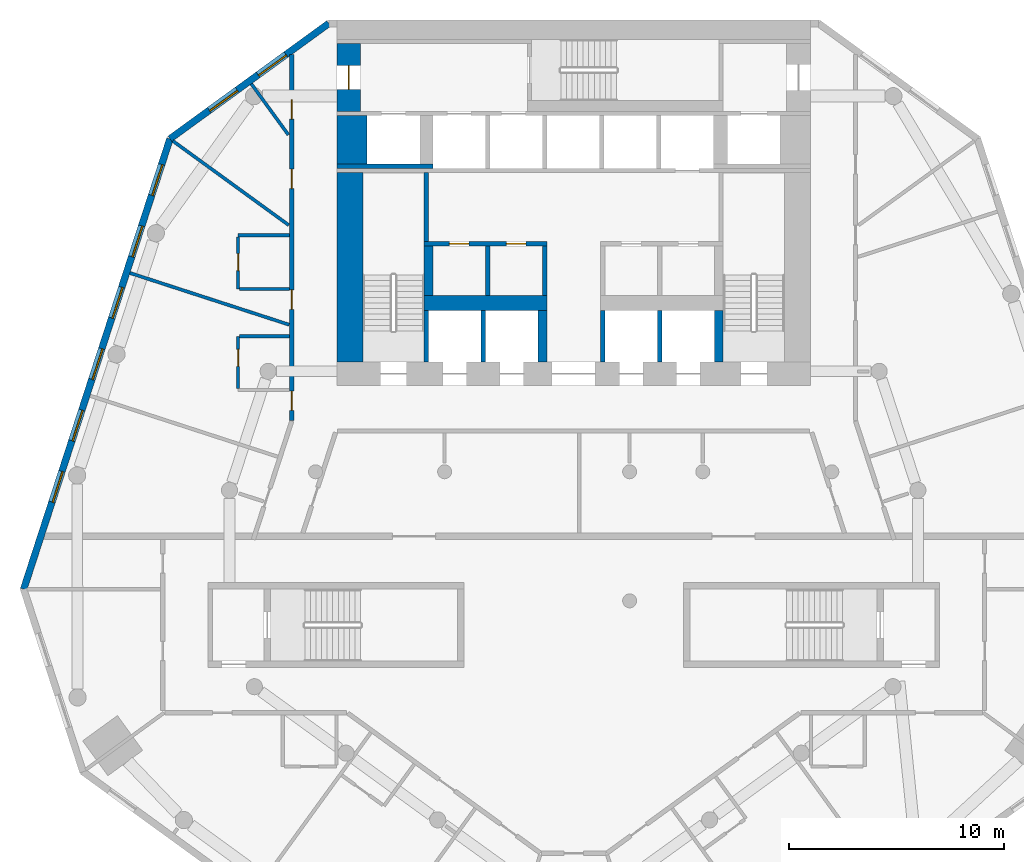
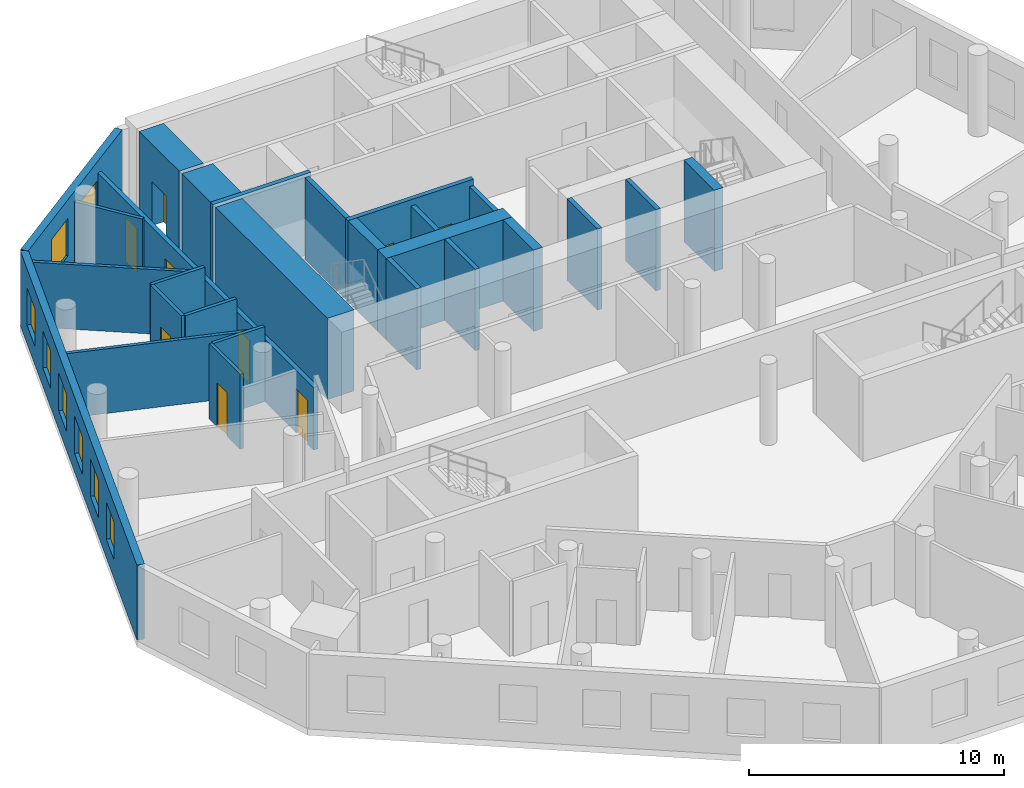
# One storey, part 5 of 9: 27 walls, 9 doors, 8 windows, 17 openings.
"""IFC4 building model written with IfcOpenShell, lengths in metres."""

from ifc_helpers import new_model, si_unit, direction, frame, frame_2d, origin, place, context, subcontext, project, spatial, rectangle, extrude, material, layer, layer_set, type_object, element, fill, save


model = new_model("IFC4")

# Units and contexts
model_context = context("Model", 3, precision=1e-05, world=origin(), true_north=direction((0.0, 1.0)))
body_context = subcontext(model_context, "Body", "Model", "MODEL_VIEW")
ifc_project = project(units=[si_unit("LENGTHUNIT", "METRE"), si_unit("AREAUNIT", "SQUARE_METRE"), si_unit("VOLUMEUNIT", "CUBIC_METRE"), si_unit("PLANEANGLEUNIT", "RADIAN"), si_unit("MASSUNIT", "GRAM", prefix="KILO")], contexts=[model_context])

# Site, building, storey
site_placement = place(None, origin())
site = spatial("IfcSite", under=ifc_project, at=site_placement, CompositionType="ELEMENT")
building_placement = place(site_placement, origin())
building = spatial("IfcBuilding", under=site, at=building_placement, Name="White Candle Pilgrim Tower", CompositionType="ELEMENT")
storey_placement = place(building_placement, frame((0.0, 0.0, 118.10009765625)))
storey = spatial("IfcBuildingStorey", under=building, at=storey_placement, Name="L26", CompositionType="ELEMENT", Elevation=118.10009765625)

# Wall, opening, door
ifc_material_1 = material(Name="Concrete C60/75", Category="concrete")
ifc_layer_1 = layer(ifc_material_1, 1.10009765625)
ifc_layer_set_1 = layer_set([ifc_layer_1], Name="Core wall 1100 mm Concrete C60/75")
wall_type_1 = type_object("IfcWallType", Name="Core wall 1100 mm Concrete C60/75", PredefinedType="SHEAR", material=ifc_layer_set_1)
wall_1_placement = place(storey_placement, frame((59.550048828125, 83.75, 0.0), z_axis=(0.0, 0.0, 1.0), x_axis=(0.0, 1.0, 0.0)))
wall_1 = element("IfcWall", 1, at=wall_1_placement, inside=storey, type_object=wall_type_1, Name="WL-L26-C44", PredefinedType="SHEAR", context=body_context, shape_type="SweptSolid", body=[
    extrude(rectangle(XDim=3.14990234375, YDim=1.10009765625, at=frame_2d((1.574951171875, 0.0))), origin(), (0.0, 0.0, 1.0), 3.89990234375),
])
opening_1_placement = place(wall_1_placement, frame((1.02490234375, 0.0, 0.0)))
opening_1 = element("IfcOpeningElement", 2, at=opening_1_placement, cuts=wall_1, Name="Opening T08-005", PredefinedType="OPENING", context=body_context, shape_type="SweptSolid", body=[
    extrude(rectangle(XDim=1.10009765625, YDim=2.10009765625, at=frame_2d((0.550048828125, 1.050048828125))), frame((0.0, 0.56005859375, 0.0), z_axis=(0.0, -1.0, 0.0), x_axis=(1.0, 0.0, 0.0)), (0.0, 0.0, 1.0), 1.1201171875),
])
ifc_material_2 = material(Name="Steel door leaf", Category="steel")
door_type_1 = type_object("IfcDoorType", Name="Fire door 1100 x 2100 EI 60", OperationType="NOTDEFINED", PredefinedType="DOOR", material=ifc_material_2)
door_1_placement = place(opening_1_placement, origin())
door_1 = element("IfcDoor", 3, at=door_1_placement, inside=storey, type_object=door_type_1, Name="Door T08-005", OperationType="SINGLE_SWING_LEFT", OverallHeight=2.10009765625, OverallWidth=1.10009765625, PredefinedType="DOOR", context=body_context, shape_type="SweptSolid", body=[
    extrude(rectangle(XDim=1.10009765625, YDim=2.10009765625, at=frame_2d((0.550048828125, 1.050048828125))), frame((0.0, 0.02490234375, 0.0), z_axis=(0.0, -1.0, 0.0), x_axis=(1.0, 0.0, 0.0)), (0.0, 0.0, 1.0), 0.050048828125),
])
fill(opening_1, door_1)

# Walls
ifc_layer_2 = layer(ifc_material_1, 1.39990234375)
ifc_layer_set_2 = layer_set([ifc_layer_2], Name="Core wall 1400 mm Concrete C60/75")
wall_type_2 = type_object("IfcWallType", Name="Core wall 1400 mm Concrete C60/75", PredefinedType="SHEAR", material=ifc_layer_set_2)
wall_2_placement = place(storey_placement, frame((59.699951171875, 81.300048828125, 0.0), z_axis=(0.0, 0.0, 1.0), x_axis=(0.0, 1.0, 0.0)))
element("IfcWall", 4, at=wall_2_placement, inside=storey, type_object=wall_type_2, Name="WL-L26-C39", PredefinedType="SHEAR", context=body_context, shape_type="SweptSolid", body=[
    extrude(rectangle(XDim=2.25, YDim=1.39990234375, at=frame_2d((1.125, 0.0))), origin(), (0.0, 0.0, 1.0), 3.89990234375),
])
ifc_layer_3 = layer(ifc_material_1, 0.199951171875)
ifc_layer_set_3 = layer_set([ifc_layer_3], Name="Core wall 200 mm Concrete C60/75")
wall_type_3 = type_object("IfcWallType", Name="Core wall 200 mm Concrete C60/75", PredefinedType="SHEAR", material=ifc_layer_set_3)
wall_3_placement = place(storey_placement, frame((59.0, 81.199951171875, 0.0), z_axis=(0.0, 0.0, 1.0), x_axis=(1.0, 0.0, 0.0)))
element("IfcWall", 5, at=wall_3_placement, inside=storey, type_object=wall_type_3, Name="WL-L26-C33", PredefinedType="SHEAR", context=body_context, shape_type="SweptSolid", body=[
    extrude(rectangle(XDim=4.449951171875, YDim=0.199951171875, at=frame_2d((2.22509765625, 0.0))), origin(), (0.0, 0.0, 1.0), 3.89990234375),
])

# Wall, openings, doors
ifc_material_3 = material(Name="Gypsum board on steel studs", Category="steel")
ifc_layer_4 = layer(ifc_material_3, 0.199951171875)
ifc_layer_set_4 = layer_set([ifc_layer_4], Name="Corridor wall 200 mm EI 45")
wall_type_4 = type_object("IfcWallType", Name="Corridor wall 200 mm EI 45", PredefinedType="PARTITIONING", material=ifc_layer_set_4)
wall_4_placement = place(storey_placement, frame((56.89990234375, 69.385009765625, 0.0), z_axis=(0.0, 0.0, 1.0), x_axis=(0.0, 1.0, 0.0)))
wall_4 = element("IfcWall", 6, at=wall_4_placement, inside=storey, type_object=wall_type_4, Name="WL-L26-P003", PredefinedType="PARTITIONING", context=body_context, shape_type="SweptSolid", body=[
    extrude(rectangle(XDim=17.01123046875, YDim=0.199951171875, at=frame_2d((8.505615234375, 0.0))), origin(), (0.0, 0.0, 1.0), 3.0),
])
opening_2_placement = place(wall_4_placement, frame((0.467041015625, 0.0, 0.0)))
opening_2 = element("IfcOpeningElement", 7, at=opening_2_placement, cuts=wall_4, Name="Opening T08-120", PredefinedType="OPENING", context=body_context, shape_type="SweptSolid", body=[
    extrude(rectangle(XDim=0.89990234375, YDim=2.10009765625, at=frame_2d((0.449951171875, 1.050048828125))), frame((0.0, 0.10986328125, 0.0), z_axis=(0.0, -1.0, 0.0), x_axis=(1.0, 0.0, 0.0)), (0.0, 0.0, 1.0), 0.219970703125),
])
opening_3_placement = place(wall_4_placement, frame((5.169189453125, 0.0, 0.0)))
opening_3 = element("IfcOpeningElement", 8, at=opening_3_placement, cuts=wall_4, Name="Opening T08-121", PredefinedType="OPENING", context=body_context, shape_type="SweptSolid", body=[
    extrude(rectangle(XDim=0.89990234375, YDim=2.10009765625, at=frame_2d((0.449951171875, 1.050048828125))), frame((0.0, 0.10986328125, 0.0), z_axis=(0.0, -1.0, 0.0), x_axis=(1.0, 0.0, 0.0)), (0.0, 0.0, 1.0), 0.219970703125),
])
opening_4_placement = place(wall_4_placement, frame((10.779296875, 0.0, 0.0)))
opening_4 = element("IfcOpeningElement", 9, at=opening_4_placement, cuts=wall_4, Name="Opening T08-122", PredefinedType="OPENING", context=body_context, shape_type="SweptSolid", body=[
    extrude(rectangle(XDim=0.89990234375, YDim=2.10009765625, at=frame_2d((0.449951171875, 1.050048828125))), frame((0.0, 0.10986328125, 0.0), z_axis=(0.0, -1.0, 0.0), x_axis=(1.0, 0.0, 0.0)), (0.0, 0.0, 1.0), 0.219970703125),
])
opening_5_placement = place(wall_4_placement, frame((14.009521484375, 0.0, 0.0)))
opening_5 = element("IfcOpeningElement", 10, at=opening_5_placement, cuts=wall_4, Name="Opening T08-123", PredefinedType="OPENING", context=body_context, shape_type="SweptSolid", body=[
    extrude(rectangle(XDim=0.89990234375, YDim=2.10009765625, at=frame_2d((0.449951171875, 1.050048828125))), frame((0.0, 0.10986328125, 0.0), z_axis=(0.0, -1.0, 0.0), x_axis=(1.0, 0.0, 0.0)), (0.0, 0.0, 1.0), 0.219970703125),
])
door_type_2 = type_object("IfcDoorType", Name="Fire door 900 x 2100 EI 30", OperationType="NOTDEFINED", PredefinedType="DOOR", material=ifc_material_2)
door_2_placement = place(opening_2_placement, frame((0.89990234375, 0.0, 0.0), z_axis=(0.0, 0.0, 1.0), x_axis=(-1.0, 0.0, 0.0)))
door_2 = element("IfcDoor", 11, at=door_2_placement, inside=storey, type_object=door_type_2, Name="Door T08-120", OperationType="SINGLE_SWING_LEFT", OverallHeight=2.10009765625, OverallWidth=0.89990234375, PredefinedType="DOOR", context=body_context, shape_type="SweptSolid", body=[
    extrude(rectangle(XDim=0.89990234375, YDim=2.10009765625, at=frame_2d((0.449951171875, 1.050048828125))), frame((0.0, 0.02490234375, 0.0), z_axis=(0.0, -1.0, 0.0), x_axis=(1.0, 0.0, 0.0)), (0.0, 0.0, 1.0), 0.050048828125),
])
fill(opening_2, door_2)
door_3_placement = place(opening_3_placement, frame((0.89990234375, 0.0, 0.0), z_axis=(0.0, 0.0, 1.0), x_axis=(-1.0, 0.0, 0.0)))
door_3 = element("IfcDoor", 12, at=door_3_placement, inside=storey, type_object=door_type_2, Name="Door T08-121", OperationType="SINGLE_SWING_RIGHT", OverallHeight=2.10009765625, OverallWidth=0.89990234375, PredefinedType="DOOR", context=body_context, shape_type="SweptSolid", body=[
    extrude(rectangle(XDim=0.89990234375, YDim=2.10009765625, at=frame_2d((0.449951171875, 1.050048828125))), frame((0.0, 0.02490234375, 0.0), z_axis=(0.0, -1.0, 0.0), x_axis=(1.0, 0.0, 0.0)), (0.0, 0.0, 1.0), 0.050048828125),
])
fill(opening_3, door_3)
door_4_placement = place(opening_4_placement, origin())
door_4 = element("IfcDoor", 13, at=door_4_placement, inside=storey, type_object=door_type_2, Name="Door T08-122", OperationType="SINGLE_SWING_RIGHT", OverallHeight=2.10009765625, OverallWidth=0.89990234375, PredefinedType="DOOR", context=body_context, shape_type="SweptSolid", body=[
    extrude(rectangle(XDim=0.89990234375, YDim=2.10009765625, at=frame_2d((0.449951171875, 1.050048828125))), frame((0.0, 0.02490234375, 0.0), z_axis=(0.0, -1.0, 0.0), x_axis=(1.0, 0.0, 0.0)), (0.0, 0.0, 1.0), 0.050048828125),
])
fill(opening_4, door_4)
door_5_placement = place(opening_5_placement, origin())
door_5 = element("IfcDoor", 14, at=door_5_placement, inside=storey, type_object=door_type_2, Name="Door T08-123", OperationType="SINGLE_SWING_LEFT", OverallHeight=2.10009765625, OverallWidth=0.89990234375, PredefinedType="DOOR", context=body_context, shape_type="SweptSolid", body=[
    extrude(rectangle(XDim=0.89990234375, YDim=2.10009765625, at=frame_2d((0.449951171875, 1.050048828125))), frame((0.0, 0.02490234375, 0.0), z_axis=(0.0, -1.0, 0.0), x_axis=(1.0, 0.0, 0.0)), (0.0, 0.0, 1.0), 0.050048828125),
])
fill(opening_5, door_5)

# Wall, openings, windows
ifc_material_4 = material(Name="Precast concrete C40/50", Category="concrete")
ifc_layer_5 = layer(ifc_material_4, 0.320068359375)
ifc_layer_set_5 = layer_set([ifc_layer_5], Name="Facade wall EW1 precast concrete C40/50 pier wall with timber-lined reveals")
wall_type_5 = type_object("IfcWallType", Name="Facade wall EW1 precast concrete C40/50 pier wall with timber-lined reveals", PredefinedType="SOLIDWALL", material=ifc_layer_set_5)
wall_5_placement = place(storey_placement, frame((58.614990234375, 87.840087890625, 0.0), z_axis=(0.0, 0.0, 1.0), x_axis=(-0.809013684675, -0.587789807677, 0.0)))
wall_5 = element("IfcWall", 15, at=wall_5_placement, inside=storey, type_object=wall_type_5, Name="Facade wall L26 NW chamfer", PredefinedType="SOLIDWALL", context=body_context, shape_type="SweptSolid", body=[
    extrude(rectangle(XDim=9.12451171875, YDim=0.320068359375, at=frame_2d((4.562255859375, 0.0))), origin(), (0.0, 0.0, 1.0), 3.599853515625),
])
opening_6_placement = place(wall_5_placement, frame((2.459716796875, 0.0, 0.89990234375)))
opening_6 = element("IfcOpeningElement", 16, at=opening_6_placement, cuts=wall_5, Name="Opening W2", PredefinedType="OPENING", context=body_context, shape_type="SweptSolid", body=[
    extrude(rectangle(XDim=1.60009765625, YDim=1.800048828125, at=frame_2d((0.800048828125, 0.89990234375))), frame((0.0, 0.169921875, 0.0), z_axis=(0.0, -1.0, 0.0), x_axis=(1.0, 0.0, 0.0)), (0.0, 0.0, 1.0), 0.340087890625),
])
opening_7_placement = place(wall_5_placement, frame((5.26220703125, 0.0, 0.89990234375)))
opening_7 = element("IfcOpeningElement", 17, at=opening_7_placement, cuts=wall_5, Name="Opening W2", PredefinedType="OPENING", context=body_context, shape_type="SweptSolid", body=[
    extrude(rectangle(XDim=1.60009765625, YDim=1.800048828125, at=frame_2d((0.800048828125, 0.89990234375))), frame((0.0, 0.169921875, 0.0), z_axis=(0.0, -1.0, 0.0), x_axis=(1.0, 0.0, 0.0)), (0.0, 0.0, 1.0), 0.340087890625),
])
ifc_material_5 = material(Name="Timber frame with triple glazing", Category="wood")
window_type_1 = type_object("IfcWindowType", Name="Window W2 1600x1800 timber frame triple glazing", PartitioningType="SINGLE_PANEL", PredefinedType="WINDOW", material=ifc_material_5)
window_1_placement = place(opening_6_placement, origin())
window_1 = element("IfcWindow", 18, at=window_1_placement, inside=storey, type_object=window_type_1, Name="Window W2 L26 NW chamfer 1", OverallHeight=1.800048828125, OverallWidth=1.60009765625, PartitioningType="SINGLE_PANEL", PredefinedType="WINDOW", context=body_context, shape_type="SweptSolid", body=[
    extrude(rectangle(XDim=1.60009765625, YDim=1.800048828125, at=frame_2d((0.800048828125, 0.89990234375))), frame((0.0, 0.070068359375, 0.0), z_axis=(0.0, -1.0, 0.0), x_axis=(1.0, 0.0, 0.0)), (0.0, 0.0, 1.0), 0.06005859375),
])
fill(opening_6, window_1)
window_2_placement = place(opening_7_placement, origin())
window_2 = element("IfcWindow", 19, at=window_2_placement, inside=storey, type_object=window_type_1, Name="Window W2 L26 NW chamfer 2", OverallHeight=1.800048828125, OverallWidth=1.60009765625, PartitioningType="SINGLE_PANEL", PredefinedType="WINDOW", context=body_context, shape_type="SweptSolid", body=[
    extrude(rectangle(XDim=1.60009765625, YDim=1.800048828125, at=frame_2d((0.800048828125, 0.89990234375))), frame((0.0, 0.070068359375, 0.0), z_axis=(0.0, -1.0, 0.0), x_axis=(1.0, 0.0, 0.0)), (0.0, 0.0, 1.0), 0.06005859375),
])
fill(opening_7, window_2)

wall_6_placement = place(storey_placement, frame((51.233154296875, 82.476806640625, 0.0), z_axis=(0.0, 0.0, 1.0), x_axis=(-0.309014593053, -0.951057296529, 0.0)))
wall_6 = element("IfcWall", 20, at=wall_6_placement, inside=storey, type_object=wall_type_5, Name="Facade wall L26 WNW", PredefinedType="SOLIDWALL", context=body_context, shape_type="SweptSolid", body=[
    extrude(rectangle(XDim=22.01123046875, YDim=0.320068359375, at=frame_2d((11.005615234375, 0.0))), origin(), (0.0, 0.0, 1.0), 3.599853515625),
])
opening_8_placement = place(wall_6_placement, frame((1.255615234375, 0.0, 0.89990234375)))
opening_8 = element("IfcOpeningElement", 21, at=opening_8_placement, cuts=wall_6, Name="Opening W1", PredefinedType="OPENING", context=body_context, shape_type="SweptSolid", body=[
    extrude(rectangle(XDim=1.5, YDim=1.800048828125, at=frame_2d((0.75, 0.89990234375))), frame((0.0, 0.169921875, 0.0), z_axis=(0.0, -1.0, 0.0), x_axis=(1.0, 0.0, 0.0)), (0.0, 0.0, 1.0), 0.340087890625),
])
opening_9_placement = place(wall_6_placement, frame((4.255615234375, 0.0, 0.89990234375)))
opening_9 = element("IfcOpeningElement", 22, at=opening_9_placement, cuts=wall_6, Name="Opening W1", PredefinedType="OPENING", context=body_context, shape_type="SweptSolid", body=[
    extrude(rectangle(XDim=1.5, YDim=1.800048828125, at=frame_2d((0.75, 0.89990234375))), frame((0.0, 0.169921875, 0.0), z_axis=(0.0, -1.0, 0.0), x_axis=(1.0, 0.0, 0.0)), (0.0, 0.0, 1.0), 0.340087890625),
])
opening_10_placement = place(wall_6_placement, frame((7.255615234375, 0.0, 0.89990234375)))
opening_10 = element("IfcOpeningElement", 23, at=opening_10_placement, cuts=wall_6, Name="Opening W1", PredefinedType="OPENING", context=body_context, shape_type="SweptSolid", body=[
    extrude(rectangle(XDim=1.5, YDim=1.800048828125, at=frame_2d((0.75, 0.89990234375))), frame((0.0, 0.169921875, 0.0), z_axis=(0.0, -1.0, 0.0), x_axis=(1.0, 0.0, 0.0)), (0.0, 0.0, 1.0), 0.340087890625),
])
opening_11_placement = place(wall_6_placement, frame((10.255615234375, 0.0, 0.89990234375)))
opening_11 = element("IfcOpeningElement", 24, at=opening_11_placement, cuts=wall_6, Name="Opening W1", PredefinedType="OPENING", context=body_context, shape_type="SweptSolid", body=[
    extrude(rectangle(XDim=1.5, YDim=1.800048828125, at=frame_2d((0.75, 0.89990234375))), frame((0.0, 0.169921875, 0.0), z_axis=(0.0, -1.0, 0.0), x_axis=(1.0, 0.0, 0.0)), (0.0, 0.0, 1.0), 0.340087890625),
])
opening_12_placement = place(wall_6_placement, frame((13.255615234375, 0.0, 0.89990234375)))
opening_12 = element("IfcOpeningElement", 25, at=opening_12_placement, cuts=wall_6, Name="Opening W1", PredefinedType="OPENING", context=body_context, shape_type="SweptSolid", body=[
    extrude(rectangle(XDim=1.5, YDim=1.800048828125, at=frame_2d((0.75, 0.89990234375))), frame((0.0, 0.169921875, 0.0), z_axis=(0.0, -1.0, 0.0), x_axis=(1.0, 0.0, 0.0)), (0.0, 0.0, 1.0), 0.340087890625),
])
opening_13_placement = place(wall_6_placement, frame((16.255615234375, 0.0, 0.89990234375)))
opening_13 = element("IfcOpeningElement", 26, at=opening_13_placement, cuts=wall_6, Name="Opening W1", PredefinedType="OPENING", context=body_context, shape_type="SweptSolid", body=[
    extrude(rectangle(XDim=1.5, YDim=1.800048828125, at=frame_2d((0.75, 0.89990234375))), frame((0.0, 0.169921875, 0.0), z_axis=(0.0, -1.0, 0.0), x_axis=(1.0, 0.0, 0.0)), (0.0, 0.0, 1.0), 0.340087890625),
])
window_type_2 = type_object("IfcWindowType", Name="Window W1 1500x1800 timber frame triple glazing", PartitioningType="SINGLE_PANEL", PredefinedType="WINDOW", material=ifc_material_5)
window_3_placement = place(opening_8_placement, origin())
window_3 = element("IfcWindow", 27, at=window_3_placement, inside=storey, type_object=window_type_2, Name="Window W1 L26 WNW 1", OverallHeight=1.800048828125, OverallWidth=1.5, PartitioningType="SINGLE_PANEL", PredefinedType="WINDOW", context=body_context, shape_type="SweptSolid", body=[
    extrude(rectangle(XDim=1.5, YDim=1.800048828125, at=frame_2d((0.75, 0.89990234375))), frame((0.0, 0.070068359375, 0.0), z_axis=(0.0, -1.0, 0.0), x_axis=(1.0, 0.0, 0.0)), (0.0, 0.0, 1.0), 0.06005859375),
])
fill(opening_8, window_3)
window_4_placement = place(opening_9_placement, origin())
window_4 = element("IfcWindow", 28, at=window_4_placement, inside=storey, type_object=window_type_2, Name="Window W1 L26 WNW 2", OverallHeight=1.800048828125, OverallWidth=1.5, PartitioningType="SINGLE_PANEL", PredefinedType="WINDOW", context=body_context, shape_type="SweptSolid", body=[
    extrude(rectangle(XDim=1.5, YDim=1.800048828125, at=frame_2d((0.75, 0.89990234375))), frame((0.0, 0.070068359375, 0.0), z_axis=(0.0, -1.0, 0.0), x_axis=(1.0, 0.0, 0.0)), (0.0, 0.0, 1.0), 0.06005859375),
])
fill(opening_9, window_4)
window_5_placement = place(opening_10_placement, origin())
window_5 = element("IfcWindow", 29, at=window_5_placement, inside=storey, type_object=window_type_2, Name="Window W1 L26 WNW 3", OverallHeight=1.800048828125, OverallWidth=1.5, PartitioningType="SINGLE_PANEL", PredefinedType="WINDOW", context=body_context, shape_type="SweptSolid", body=[
    extrude(rectangle(XDim=1.5, YDim=1.800048828125, at=frame_2d((0.75, 0.89990234375))), frame((0.0, 0.070068359375, 0.0), z_axis=(0.0, -1.0, 0.0), x_axis=(1.0, 0.0, 0.0)), (0.0, 0.0, 1.0), 0.06005859375),
])
fill(opening_10, window_5)
window_6_placement = place(opening_11_placement, origin())
window_6 = element("IfcWindow", 30, at=window_6_placement, inside=storey, type_object=window_type_2, Name="Window W1 L26 WNW 4", OverallHeight=1.800048828125, OverallWidth=1.5, PartitioningType="SINGLE_PANEL", PredefinedType="WINDOW", context=body_context, shape_type="SweptSolid", body=[
    extrude(rectangle(XDim=1.5, YDim=1.800048828125, at=frame_2d((0.75, 0.89990234375))), frame((0.0, 0.070068359375, 0.0), z_axis=(0.0, -1.0, 0.0), x_axis=(1.0, 0.0, 0.0)), (0.0, 0.0, 1.0), 0.06005859375),
])
fill(opening_11, window_6)
window_7_placement = place(opening_12_placement, origin())
window_7 = element("IfcWindow", 31, at=window_7_placement, inside=storey, type_object=window_type_2, Name="Window W1 L26 WNW 5", OverallHeight=1.800048828125, OverallWidth=1.5, PartitioningType="SINGLE_PANEL", PredefinedType="WINDOW", context=body_context, shape_type="SweptSolid", body=[
    extrude(rectangle(XDim=1.5, YDim=1.800048828125, at=frame_2d((0.75, 0.89990234375))), frame((0.0, 0.070068359375, 0.0), z_axis=(0.0, -1.0, 0.0), x_axis=(1.0, 0.0, 0.0)), (0.0, 0.0, 1.0), 0.06005859375),
])
fill(opening_12, window_7)
window_8_placement = place(opening_13_placement, origin())
window_8 = element("IfcWindow", 32, at=window_8_placement, inside=storey, type_object=window_type_2, Name="Window W1 L26 WNW 6", OverallHeight=1.800048828125, OverallWidth=1.5, PartitioningType="SINGLE_PANEL", PredefinedType="WINDOW", context=body_context, shape_type="SweptSolid", body=[
    extrude(rectangle(XDim=1.5, YDim=1.800048828125, at=frame_2d((0.75, 0.89990234375))), frame((0.0, 0.070068359375, 0.0), z_axis=(0.0, -1.0, 0.0), x_axis=(1.0, 0.0, 0.0)), (0.0, 0.0, 1.0), 0.06005859375),
])
fill(opening_13, window_8)

# Walls
ifc_layer_6 = layer(ifc_material_3, 0.199951171875)
ifc_layer_set_6 = layer_set([ifc_layer_6], Name="Lobby wall 200 mm EI 60")
wall_type_6 = type_object("IfcWallType", Name="Lobby wall 200 mm EI 60", PredefinedType="PARTITIONING", material=ifc_layer_set_6)
for number, where, z_axis, x_axis, name in (
    (33, (66.0, 75.199951171875, 0.0), (0.0, 0.0, 1.0), (0.0, 1.0, 0.0), "WL-L26-C23"),
    (34, (68.64990234375, 75.199951171875, 0.0), (0.0, 0.0, 1.0), (0.0, 1.0, 0.0), "WL-L26-C24"),
):
    element("IfcWall", number, at=place(storey_placement, frame(where, z_axis=z_axis, x_axis=x_axis)), inside=storey, type_object=wall_type_6, Name=name, PredefinedType="PARTITIONING", context=body_context, shape_type="SweptSolid", body=[
        extrude(rectangle(XDim=2.300048828125, YDim=0.199951171875, at=frame_2d((1.14990234375, 0.0))), origin(), (0.0, 0.0, 1.0), 3.599853515625),
    ])
ifc_layer_7 = layer(ifc_material_3, 0.14990234375)
ifc_layer_set_7 = layer_set([ifc_layer_7], Name="Partition 150 mm EI 60")
wall_type_7 = type_object("IfcWallType", Name="Partition 150 mm EI 60", PredefinedType="PARTITIONING", material=ifc_layer_set_7)
wall_7_placement = place(storey_placement, frame((51.369140625, 82.3779296875, 0.0), z_axis=(0.0, 0.0, 1.0), x_axis=(0.809007131432, -0.587798827229, 0.0)))
element("IfcWall", 35, at=wall_7_placement, inside=storey, type_object=wall_type_7, Name="WL-L26-P016", PredefinedType="PARTITIONING", context=body_context, shape_type="SweptSolid", body=[
    extrude(rectangle(XDim=6.658447265625, YDim=0.14990234375, at=frame_2d((3.3291015625, 0.0))), origin(), (0.0, 0.0, 1.0), 3.099853515625),
])
wall_8_placement = place(storey_placement, frame((55.01806640625, 85.02880859375, 0.0), z_axis=(0.0, 0.0, 1.0), x_axis=(0.587804780277, -0.809002806103, 0.0)))
element("IfcWall", 36, at=wall_8_placement, inside=storey, type_object=wall_type_7, Name="WL-L26-P024", PredefinedType="PARTITIONING", context=body_context, shape_type="SweptSolid", body=[
    extrude(rectangle(XDim=2.92822265625, YDim=0.14990234375, at=frame_2d((1.464111328125, 0.0))), origin(), (0.0, 0.0, 1.0), 3.099853515625),
])
wall_9_placement = place(storey_placement, frame((49.375, 76.240234375, 0.0), z_axis=(0.0, 0.0, 1.0), x_axis=(0.951055735889, -0.309019396208, 0.0)))
element("IfcWall", 37, at=wall_9_placement, inside=storey, type_object=wall_type_7, Name="WL-L26-P025", PredefinedType="PARTITIONING", context=body_context, shape_type="SweptSolid", body=[
    extrude(rectangle(XDim=7.78271484375, YDim=0.14990234375, at=frame_2d((3.891357421875, 0.0))), origin(), (0.0, 0.0, 1.0), 3.099853515625),
])
wall_10_placement = place(storey_placement, frame((56.800048828125, 77.9951171875, 0.0), z_axis=(0.0, 0.0, 1.0), x_axis=(-1.0, 0.0, 0.0)))
element("IfcWall", 38, at=wall_10_placement, inside=storey, type_object=wall_type_7, Name="WL-L26-P027", PredefinedType="PARTITIONING", context=body_context, shape_type="SweptSolid", body=[
    extrude(rectangle(XDim=2.400146484375, YDim=0.14990234375, at=frame_2d((1.2001953125, 0.0))), origin(), (0.0, 0.0, 1.0), 3.599853515625),
])

# Wall, opening, door
wall_11_placement = place(storey_placement, frame((54.39990234375, 75.4951171875, 0.0), z_axis=(0.0, 0.0, 1.0), x_axis=(0.0, 1.0, 0.0)))
wall_11 = element("IfcWall", 39, at=wall_11_placement, inside=storey, type_object=wall_type_7, Name="WL-L26-P028", PredefinedType="PARTITIONING", context=body_context, shape_type="SweptSolid", body=[
    extrude(rectangle(XDim=2.425048828125, YDim=0.14990234375, at=frame_2d((1.21240234375, 0.0))), origin(), (0.0, 0.0, 1.0), 3.599853515625),
])
opening_14_placement = place(wall_11_placement, frame((0.85009765625, 0.0, 0.0)))
opening_14 = element("IfcOpeningElement", 40, at=opening_14_placement, cuts=wall_11, Name="Opening T08-101", PredefinedType="OPENING", context=body_context, shape_type="SweptSolid", body=[
    extrude(rectangle(XDim=0.800048828125, YDim=2.10009765625, at=frame_2d((0.39990234375, 1.050048828125))), frame((0.0, 0.0849609375, 0.0), z_axis=(0.0, -1.0, 0.0), x_axis=(1.0, 0.0, 0.0)), (0.0, 0.0, 1.0), 0.169921875),
])
door_type_3 = type_object("IfcDoorType", Name="Fire door 800 x 2100 EI 30", OperationType="NOTDEFINED", PredefinedType="DOOR", material=ifc_material_2)
door_6_placement = place(opening_14_placement, origin())
door_6 = element("IfcDoor", 41, at=door_6_placement, inside=storey, type_object=door_type_3, Name="Door T08-101", OperationType="SINGLE_SWING_LEFT", OverallHeight=2.10009765625, OverallWidth=0.800048828125, PredefinedType="DOOR", context=body_context, shape_type="SweptSolid", body=[
    extrude(rectangle(XDim=0.800048828125, YDim=2.10009765625, at=frame_2d((0.39990234375, 1.050048828125))), frame((0.0, 0.02490234375, 0.0), z_axis=(0.0, -1.0, 0.0), x_axis=(1.0, 0.0, 0.0)), (0.0, 0.0, 1.0), 0.050048828125),
])
fill(opening_14, door_6)

# Wall
wall_12_placement = place(storey_placement, frame((56.800048828125, 75.4951171875, 0.0), z_axis=(0.0, 0.0, 1.0), x_axis=(-1.0, 0.0, 0.0)))
element("IfcWall", 42, at=wall_12_placement, inside=storey, type_object=wall_type_7, Name="WL-L26-P029", PredefinedType="PARTITIONING", context=body_context, shape_type="SweptSolid", body=[
    extrude(rectangle(XDim=2.324951171875, YDim=0.14990234375, at=frame_2d((1.16259765625, 0.0))), origin(), (0.0, 0.0, 1.0), 3.599853515625),
])

# Wall, opening, door
wall_13_placement = place(storey_placement, frame((54.39990234375, 73.295166015625, 0.0), z_axis=(0.0, 0.0, 1.0), x_axis=(0.0, -1.0, 0.0)))
wall_13 = element("IfcWall", 43, at=wall_13_placement, inside=storey, type_object=wall_type_7, Name="WL-L26-P031", PredefinedType="PARTITIONING", context=body_context, shape_type="SweptSolid", body=[
    extrude(rectangle(XDim=2.425048828125, YDim=0.14990234375, at=frame_2d((1.21240234375, 0.0))), origin(), (0.0, 0.0, 1.0), 3.599853515625),
])
opening_15_placement = place(wall_13_placement, frame((0.60009765625, 0.0, 0.0)))
opening_15 = element("IfcOpeningElement", 44, at=opening_15_placement, cuts=wall_13, Name="Opening T08-102", PredefinedType="OPENING", context=body_context, shape_type="SweptSolid", body=[
    extrude(rectangle(XDim=0.800048828125, YDim=2.10009765625, at=frame_2d((0.39990234375, 1.050048828125))), frame((0.0, 0.0849609375, 0.0), z_axis=(0.0, -1.0, 0.0), x_axis=(1.0, 0.0, 0.0)), (0.0, 0.0, 1.0), 0.169921875),
])
door_7_placement = place(opening_15_placement, frame((0.800048828125, 0.0, 0.0), z_axis=(0.0, 0.0, 1.0), x_axis=(-1.0, 0.0, 0.0)))
door_7 = element("IfcDoor", 45, at=door_7_placement, inside=storey, type_object=door_type_3, Name="Door T08-102", OperationType="SINGLE_SWING_LEFT", OverallHeight=2.10009765625, OverallWidth=0.800048828125, PredefinedType="DOOR", context=body_context, shape_type="SweptSolid", body=[
    extrude(rectangle(XDim=0.800048828125, YDim=2.10009765625, at=frame_2d((0.39990234375, 1.050048828125))), frame((0.0, 0.02490234375, 0.0), z_axis=(0.0, -1.0, 0.0), x_axis=(1.0, 0.0, 0.0)), (0.0, 0.0, 1.0), 0.050048828125),
])
fill(opening_15, door_7)

# Walls
wall_14_placement = place(storey_placement, frame((56.800048828125, 73.295166015625, 0.0), z_axis=(0.0, 0.0, 1.0), x_axis=(-1.0, 0.0, 0.0)))
element("IfcWall", 46, at=wall_14_placement, inside=storey, type_object=wall_type_7, Name="WL-L26-P032", PredefinedType="PARTITIONING", context=body_context, shape_type="SweptSolid", body=[
    extrude(rectangle(XDim=2.324951171875, YDim=0.14990234375, at=frame_2d((1.16259765625, 0.0))), origin(), (0.0, 0.0, 1.0), 3.599853515625),
])
ifc_layer_8 = layer(ifc_material_1, 0.199951171875)
ifc_layer_set_8 = layer_set([ifc_layer_8], Name="Shaft wall 200 mm Concrete C60/75")
wall_type_8 = type_object("IfcWallType", Name="Shaft wall 200 mm Concrete C60/75", PredefinedType="SHEAR", material=ifc_layer_set_8)
for number, where, z_axis, x_axis, name in (
    (47, (65.800048828125, 72.10009765625, 0.0), (0.0, 0.0, 1.0), (0.0, 1.0, 0.0), "WL-L26-C14"),
    (48, (71.35009765625, 72.10009765625, 0.0), (0.0, 0.0, 1.0), (0.0, 1.0, 0.0), "WL-L26-C16"),
    (49, (74.0, 72.10009765625, 0.0), (0.0, 0.0, 1.0), (0.0, 1.0, 0.0), "WL-L26-C17"),
):
    element("IfcWall", number, at=place(storey_placement, frame(where, z_axis=z_axis, x_axis=x_axis)), inside=storey, type_object=wall_type_8, Name=name, PredefinedType="SHEAR", context=body_context, shape_type="SweptSolid", body=[
        extrude(rectangle(XDim=2.39990234375, YDim=0.199951171875, at=frame_2d((1.199951171875, 0.0))), origin(), (0.0, 0.0, 1.0), 3.89990234375),
    ])
ifc_layer_9 = layer(ifc_material_1, 0.39990234375)
ifc_layer_set_9 = layer_set([ifc_layer_9], Name="Shaft wall 400 mm Concrete C60/75")
wall_type_9 = type_object("IfcWallType", Name="Shaft wall 400 mm Concrete C60/75", PredefinedType="SHEAR", material=ifc_layer_set_9)
wall_15_placement = place(storey_placement, frame((68.550048828125, 72.10009765625, 0.0), z_axis=(0.0, 0.0, 1.0), x_axis=(0.0, 1.0, 0.0)))
element("IfcWall", 50, at=wall_15_placement, inside=storey, type_object=wall_type_9, Name="WL-L26-C15", PredefinedType="SHEAR", context=body_context, shape_type="SweptSolid", body=[
    extrude(rectangle(XDim=2.39990234375, YDim=0.39990234375, at=frame_2d((1.199951171875, 0.0))), origin(), (0.0, 0.0, 1.0), 3.89990234375),
])
ifc_layer_10 = layer(ifc_material_1, 1.199951171875)
ifc_layer_set_10 = layer_set([ifc_layer_10], Name="Stair shaft wall 1200 mm Concrete C60/75")
wall_type_10 = type_object("IfcWallType", Name="Stair shaft wall 1200 mm Concrete C60/75", PredefinedType="SHEAR", material=ifc_layer_set_10)
wall_16_placement = place(storey_placement, frame((59.60009765625, 72.10009765625, 0.0), z_axis=(0.0, 0.0, 1.0), x_axis=(0.0, 1.0, 0.0)))
element("IfcWall", 51, at=wall_16_placement, inside=storey, type_object=wall_type_10, Name="WL-L26-C12", PredefinedType="SHEAR", context=body_context, shape_type="SweptSolid", body=[
    extrude(rectangle(XDim=8.7998046875, YDim=1.199951171875, at=frame_2d((4.39990234375, 0.0))), origin(), (0.0, 0.0, 1.0), 3.89990234375),
])
ifc_layer_11 = layer(ifc_material_1, 0.199951171875)
ifc_layer_set_11 = layer_set([ifc_layer_11], Name="Stair shaft wall 200 mm Concrete C60/75")
wall_type_11 = type_object("IfcWallType", Name="Stair shaft wall 200 mm Concrete C60/75", PredefinedType="SHEAR", material=ifc_layer_set_11)
wall_17_placement = place(storey_placement, frame((63.14990234375, 72.10009765625, 0.0), z_axis=(0.0, 0.0, 1.0), x_axis=(0.0, 1.0, 0.0)))
element("IfcWall", 52, at=wall_17_placement, inside=storey, type_object=wall_type_11, Name="WL-L26-C13", PredefinedType="SHEAR", context=body_context, shape_type="SweptSolid", body=[
    extrude(rectangle(XDim=2.39990234375, YDim=0.199951171875, at=frame_2d((1.199951171875, 0.0))), origin(), (0.0, 0.0, 1.0), 3.89990234375),
])

# Wall, openings, doors
wall_18_placement = place(storey_placement, frame((63.050048828125, 77.60009765625, 0.0), z_axis=(0.0, 0.0, 1.0), x_axis=(1.0, 0.0, 0.0)))
wall_18 = element("IfcWall", 53, at=wall_18_placement, inside=storey, type_object=wall_type_11, Name="WL-L26-C28", PredefinedType="SHEAR", context=body_context, shape_type="SweptSolid", body=[
    extrude(rectangle(XDim=5.699951171875, YDim=0.199951171875, at=frame_2d((2.85009765625, 0.0))), origin(), (0.0, 0.0, 1.0), 3.89990234375),
])
opening_16_placement = place(wall_18_placement, frame((1.175048828125, 0.0, 0.0)))
opening_16 = element("IfcOpeningElement", 54, at=opening_16_placement, cuts=wall_18, Name="Opening T08-020", PredefinedType="OPENING", context=body_context, shape_type="SweptSolid", body=[
    extrude(rectangle(XDim=0.89990234375, YDim=2.10009765625, at=frame_2d((0.449951171875, 1.050048828125))), frame((0.0, 0.10986328125, 0.0), z_axis=(0.0, -1.0, 0.0), x_axis=(1.0, 0.0, 0.0)), (0.0, 0.0, 1.0), 0.219970703125),
])
opening_17_placement = place(wall_18_placement, frame((3.824951171875, 0.0, 0.0)))
opening_17 = element("IfcOpeningElement", 55, at=opening_17_placement, cuts=wall_18, Name="Opening T08-021", PredefinedType="OPENING", context=body_context, shape_type="SweptSolid", body=[
    extrude(rectangle(XDim=0.89990234375, YDim=2.10009765625, at=frame_2d((0.449951171875, 1.050048828125))), frame((0.0, 0.10986328125, 0.0), z_axis=(0.0, -1.0, 0.0), x_axis=(1.0, 0.0, 0.0)), (0.0, 0.0, 1.0), 0.219970703125),
])
door_8_placement = place(opening_16_placement, origin())
door_8 = element("IfcDoor", 56, at=door_8_placement, inside=storey, type_object=door_type_2, Name="Door T08-020", OperationType="SINGLE_SWING_RIGHT", OverallHeight=2.10009765625, OverallWidth=0.89990234375, PredefinedType="DOOR", context=body_context, shape_type="SweptSolid", body=[
    extrude(rectangle(XDim=0.89990234375, YDim=2.10009765625, at=frame_2d((0.449951171875, 1.050048828125))), frame((0.0, 0.02490234375, 0.0), z_axis=(0.0, -1.0, 0.0), x_axis=(1.0, 0.0, 0.0)), (0.0, 0.0, 1.0), 0.050048828125),
])
fill(opening_16, door_8)
door_9_placement = place(opening_17_placement, origin())
door_9 = element("IfcDoor", 57, at=door_9_placement, inside=storey, type_object=door_type_2, Name="Door T08-021", OperationType="SINGLE_SWING_LEFT", OverallHeight=2.10009765625, OverallWidth=0.89990234375, PredefinedType="DOOR", context=body_context, shape_type="SweptSolid", body=[
    extrude(rectangle(XDim=0.89990234375, YDim=2.10009765625, at=frame_2d((0.449951171875, 1.050048828125))), frame((0.0, 0.02490234375, 0.0), z_axis=(0.0, -1.0, 0.0), x_axis=(1.0, 0.0, 0.0)), (0.0, 0.0, 1.0), 0.050048828125),
])
fill(opening_17, door_9)

# Walls
wall_19_placement = place(storey_placement, frame((63.14990234375, 77.699951171875, 0.0), z_axis=(0.0, 0.0, 1.0), x_axis=(0.0, 1.0, 0.0)))
element("IfcWall", 58, at=wall_19_placement, inside=storey, type_object=wall_type_11, Name="WL-L26-C30", PredefinedType="SHEAR", context=body_context, shape_type="SweptSolid", body=[
    extrude(rectangle(XDim=3.199951171875, YDim=0.199951171875, at=frame_2d((1.60009765625, 0.0))), origin(), (0.0, 0.0, 1.0), 3.89990234375),
])
ifc_layer_12 = layer(ifc_material_1, 0.39990234375)
ifc_layer_set_12 = layer_set([ifc_layer_12], Name="Stair shaft wall 400 mm Concrete C60/75")
wall_type_12 = type_object("IfcWallType", Name="Stair shaft wall 400 mm Concrete C60/75", PredefinedType="SHEAR", material=ifc_layer_set_12)
wall_20_placement = place(storey_placement, frame((76.75, 72.10009765625, 0.0), z_axis=(0.0, 0.0, 1.0), x_axis=(0.0, 1.0, 0.0)))
element("IfcWall", 59, at=wall_20_placement, inside=storey, type_object=wall_type_12, Name="WL-L26-C18", PredefinedType="SHEAR", context=body_context, shape_type="SweptSolid", body=[
    extrude(rectangle(XDim=2.39990234375, YDim=0.39990234375, at=frame_2d((1.199951171875, 0.0))), origin(), (0.0, 0.0, 1.0), 3.89990234375),
])
wall_21_placement = place(storey_placement, frame((63.25, 75.199951171875, 0.0), z_axis=(0.0, 0.0, 1.0), x_axis=(0.0, 1.0, 0.0)))
element("IfcWall", 60, at=wall_21_placement, inside=storey, type_object=wall_type_12, Name="WL-L26-C22", PredefinedType="SHEAR", context=body_context, shape_type="SweptSolid", body=[
    extrude(rectangle(XDim=2.300048828125, YDim=0.39990234375, at=frame_2d((1.14990234375, 0.0))), origin(), (0.0, 0.0, 1.0), 3.89990234375),
])
ifc_layer_13 = layer(ifc_material_1, 0.699951171875)
ifc_layer_set_13 = layer_set([ifc_layer_13], Name="Stair shaft wall 700 mm Concrete C60/75")
wall_type_13 = type_object("IfcWallType", Name="Stair shaft wall 700 mm Concrete C60/75", PredefinedType="SHEAR", material=ifc_layer_set_13)
wall_22_placement = place(storey_placement, frame((63.050048828125, 74.85009765625, 0.0), z_axis=(0.0, 0.0, 1.0), x_axis=(1.0, 0.0, 0.0)))
element("IfcWall", 61, at=wall_22_placement, inside=storey, type_object=wall_type_13, Name="WL-L26-C20", PredefinedType="SHEAR", context=body_context, shape_type="SweptSolid", body=[
    extrude(rectangle(XDim=5.699951171875, YDim=0.699951171875, at=frame_2d((2.85009765625, 0.0))), origin(), (0.0, 0.0, 1.0), 3.89990234375),
])

save(model, "model.ifc")
